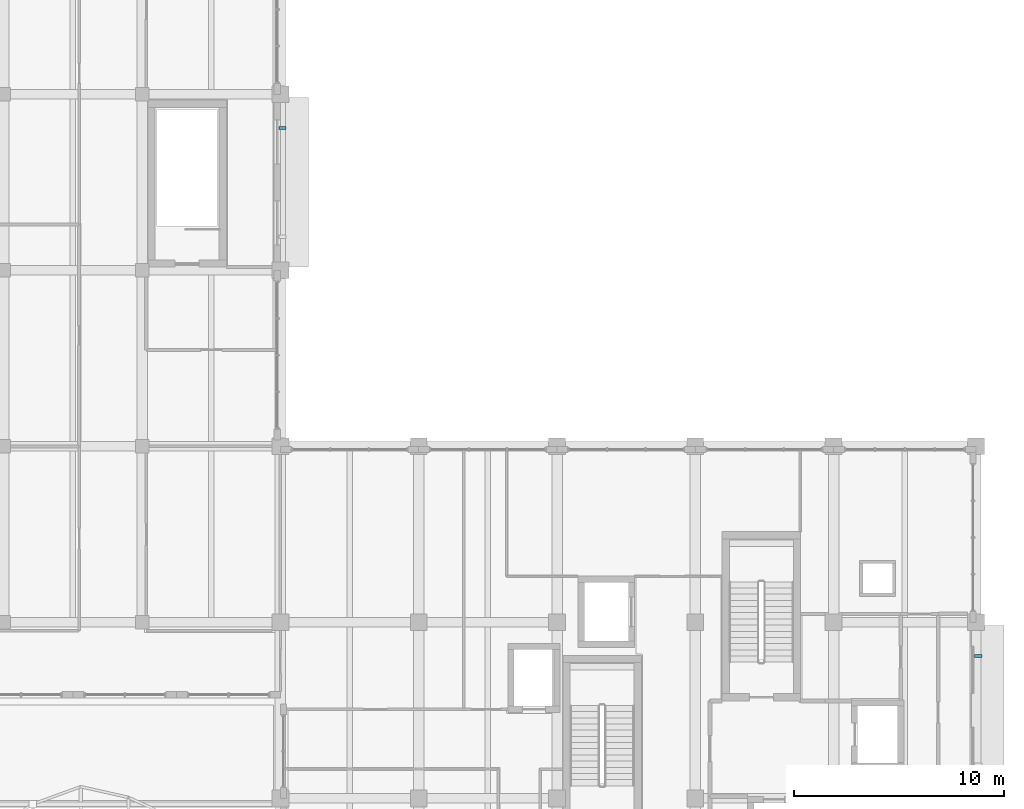
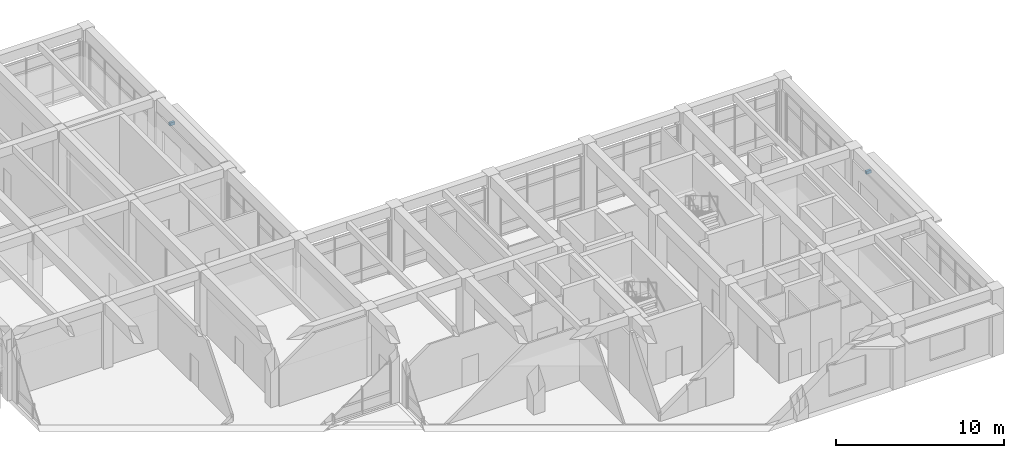
# One storey, part 67 of 79: 2 discrete accessories.
"""IFC4 building model written with IfcOpenShell, lengths in metres."""

from ifc_helpers import new_model, si_unit, direction, frame, origin, origin_2d, place, context, subcontext, project, spatial, rectangle, extrude, material, type_object, element, save


model = new_model("IFC4")

# Units and contexts
model_context = context("Model", 3, precision=1e-05, world=origin(), true_north=direction((0.0, 1.0)))
body_context = subcontext(model_context, "Body", "Model", "MODEL_VIEW")
ifc_project = project(units=[si_unit("LENGTHUNIT", "METRE"), si_unit("AREAUNIT", "SQUARE_METRE"), si_unit("VOLUMEUNIT", "CUBIC_METRE"), si_unit("PLANEANGLEUNIT", "RADIAN"), si_unit("MASSUNIT", "GRAM", prefix="KILO")], contexts=[model_context])

# Site, building, storey
site_placement = place(None, origin())
site = spatial("IfcSite", under=ifc_project, at=site_placement, CompositionType="ELEMENT")
building_placement = place(site_placement, origin())
building = spatial("IfcBuilding", under=site, at=building_placement, Name="Kolvaren Faculty of Natural Sciences", CompositionType="ELEMENT")
storey_placement = place(building_placement, frame((0.0, 0.0, 10.199951171875)))
storey = spatial("IfcBuildingStorey", under=building, at=storey_placement, Name="L02", CompositionType="ELEMENT", Elevation=10.199951171875)

# Discrete accessories
ifc_material = material(Name="Structural steel EN 10025-2 S355J2", Category="steel")
discrete_accessory_type = type_object("IfcDiscreteAccessoryType", Name="FacadeSupportBracket_260", PredefinedType="BRACKET", material=ifc_material)
for number, where, z_axis, x_axis, name in (
    (1, (138.89990234375, 99.39208984375, 3.56494140625), (0.0, 0.0, 1.0), (0.0, -1.0, 0.0), "L02 chhajja hood steel bracket"),
    (2, (172.10009765625, 74.19189453125, 3.71484375), (0.0, 0.0, 1.0), (0.0, -1.0, 0.0), "L02 chhajja hood steel bracket"),
):
    element("IfcDiscreteAccessory", number, at=place(storey_placement, frame(where, z_axis=z_axis, x_axis=x_axis)), inside=storey, type_object=discrete_accessory_type, Name=name, PredefinedType="BRACKET", context=body_context, shape_type="SweptSolid", body=[
        extrude(rectangle(XDim=0.159912109375, YDim=0.340087890625, at=origin_2d()), origin(), (0.0, 0.0, 1.0), 0.219970703125),
    ])

save(model, "model.ifc")
